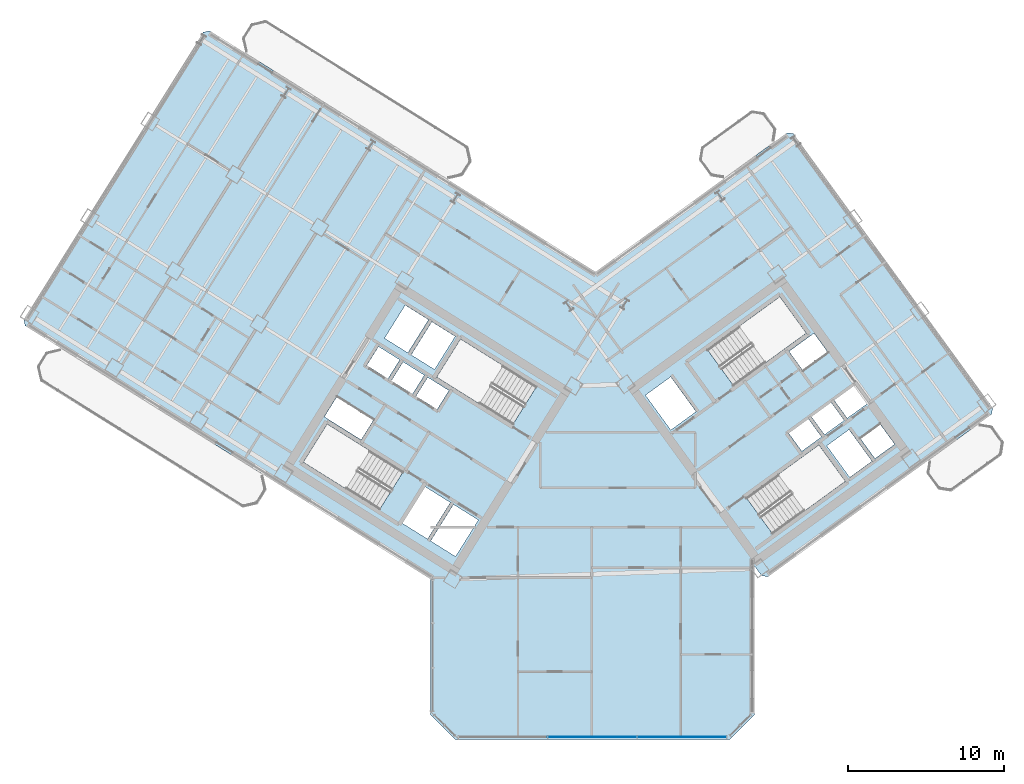
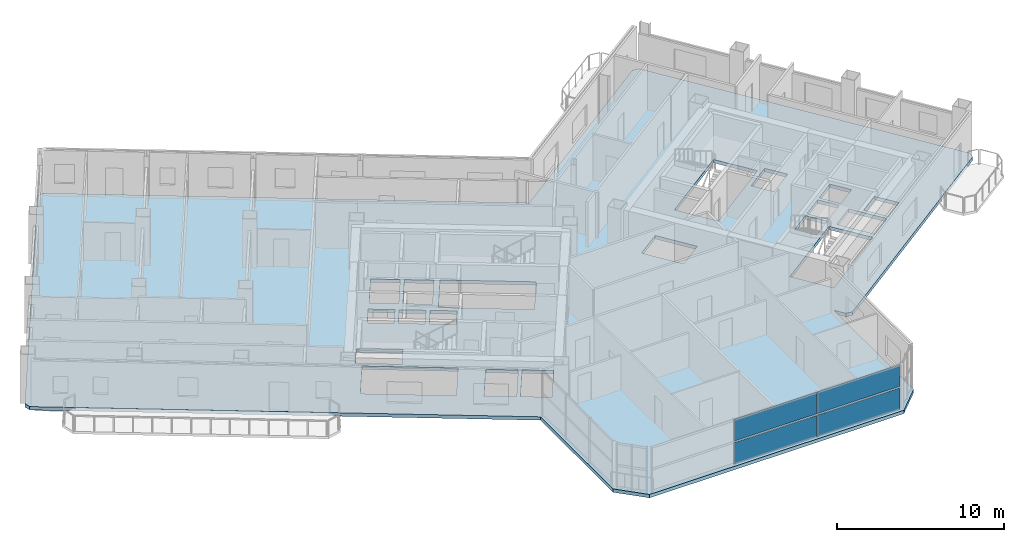
# One storey, part 9 of 21: 4 plates, 1 slab, 1 element without a shape of its own.
"""IFC4 building model written with IfcOpenShell, lengths in metres."""

from ifc_helpers import new_model, si_unit, direction, frame, origin, origin_2d, place, context, subcontext, project, spatial, polyline, rectangle, outline, extrude, source, transform, mapped, material, layer, layer_set, type_object, element, aggregate, save


model = new_model("IFC4")

# Units and contexts
model_context = context("Model", 3, precision=1e-05, world=origin(), true_north=direction((0.0, 1.0)))
body_context = subcontext(model_context, "Body", "Model", "MODEL_VIEW")
ifc_project = project(units=[si_unit("LENGTHUNIT", "METRE"), si_unit("AREAUNIT", "SQUARE_METRE"), si_unit("VOLUMEUNIT", "CUBIC_METRE"), si_unit("PLANEANGLEUNIT", "RADIAN"), si_unit("MASSUNIT", "GRAM", prefix="KILO")], contexts=[model_context])

# Site, building, storey
site_placement = place(None, origin())
site = spatial("IfcSite", under=ifc_project, at=site_placement, CompositionType="ELEMENT")
building_placement = place(site_placement, origin())
building = spatial("IfcBuilding", under=site, at=building_placement, Name="Tlacorven Tower", CompositionType="ELEMENT")
storey_placement = place(building_placement, frame((0.0, 0.0, 105.300048828125)))
storey = spatial("IfcBuildingStorey", under=building, at=storey_placement, Name="L26", CompositionType="ELEMENT", Elevation=105.300048828125)

# Slab
ifc_material_1 = material(Name="Concrete C40/50", Category="concrete")
ifc_layer_1 = layer(ifc_material_1, 0.25)
ifc_layer_set_1 = layer_set([ifc_layer_1], Name="Concrete C40/50")
slab_type = type_object("IfcSlabType", Name="SL-TWR-250", PredefinedType="FLOOR", material=ifc_layer_set_1)
slab_placement = place(storey_placement, frame((0.0, 0.0, -0.25)))
element("IfcSlab", 1, at=slab_placement, inside=storey, type_object=slab_type, Name="L26 Boomerang Tower Floor Slab", PredefinedType="FLOOR", context=body_context, shape_type="SweptSolid", body=[
    extrude(outline(polyline([(52.39990234375, 3.39990234375), (50.800048828125, 1.800048828125), (33.199951171875, 1.800048828125), (31.60009765625, 3.39990234375), (31.60009765625, 12.09423828125), (5.62451171875, 28.32568359375), (5.529052734375, 28.739013671875), (17.0390625, 47.15869140625), (17.452392578125, 47.254150390625), (42.19970703125, 31.790283203125), (54.481689453125, 40.713623046875), (54.90087890625, 40.647216796875), (67.66748046875, 23.075439453125), (67.60107421875, 22.656494140625), (53.265380859375, 12.24072265625), (52.846435546875, 12.30712890625), (52.39990234375, 12.921630859375), (52.39990234375, 3.39990234375)]), holes=[polyline([(29.865478515625, 18.979736328125), (24.9892578125, 22.02685546875), (23.463134765625, 19.58447265625), (28.33935546875, 16.537353515625), (29.865478515625, 18.979736328125)]), polyline([(38.4169921875, 24.4375), (33.540771484375, 27.484375), (32.0146484375, 25.0419921875), (36.890869140625, 21.9951171875), (38.4169921875, 24.4375)]), polyline([(51.05908203125, 24.481689453125), (55.7109375, 27.861572265625), (54.01806640625, 30.19140625), (49.3662109375, 26.811767578125), (51.05908203125, 24.481689453125)]), polyline([(53.56298828125, 14.978759765625), (58.21484375, 18.3583984375), (56.52197265625, 20.6884765625), (51.8701171875, 17.30859375), (53.56298828125, 14.978759765625)]), polyline([(34.682373046875, 15.87548828125), (33.088134765625, 16.871826171875), (31.62548828125, 14.531005859375), (33.2197265625, 13.534912109375), (34.682373046875, 15.87548828125)]), polyline([(32.884521484375, 16.9990234375), (31.2392578125, 18.02685546875), (29.77685546875, 15.686279296875), (31.421875, 14.658203125), (32.884521484375, 16.9990234375)]), polyline([(47.0234375, 21.648681640625), (48.6416015625, 22.82421875), (47.019287109375, 25.05712890625), (45.401123046875, 23.881591796875), (47.0234375, 21.648681640625)]), polyline([(33.197265625, 27.65185546875), (31.704833984375, 28.58447265625), (30.3798828125, 26.46435546875), (31.87255859375, 25.53173828125), (33.197265625, 27.65185546875)]), polyline([(31.484375, 28.722412109375), (29.99169921875, 29.655029296875), (28.6669921875, 27.534912109375), (30.159423828125, 26.602294921875), (31.484375, 28.722412109375)]), polyline([(32.794921875, 24.17724609375), (31.43798828125, 25.025146484375), (30.685546875, 23.82080078125), (32.042236328125, 22.972900390625), (32.794921875, 24.17724609375)]), polyline([(31.217529296875, 25.162841796875), (29.860595703125, 26.0107421875), (29.108154296875, 24.806396484375), (30.465087890625, 23.958740234375), (31.217529296875, 25.162841796875)]), polyline([(29.64013671875, 26.1484375), (28.283203125, 26.996337890625), (27.53076171875, 25.792236328125), (28.8876953125, 24.9443359375), (29.64013671875, 26.1484375)]), polyline([(55.427734375, 20.288818359375), (56.68994140625, 21.205810546875), (55.855224609375, 22.354736328125), (54.59326171875, 21.437744140625), (55.427734375, 20.288818359375)]), polyline([(56.884033203125, 21.346923828125), (58.146240234375, 22.263916015625), (57.3115234375, 23.41259765625), (56.04931640625, 22.495849609375), (56.884033203125, 21.346923828125)]), polyline([(58.34033203125, 22.405029296875), (59.602294921875, 23.322021484375), (58.767578125, 24.470703125), (57.505615234375, 23.5537109375), (58.34033203125, 22.405029296875)]), polyline([(58.498779296875, 18.614013671875), (59.922607421875, 19.648681640625), (58.453125, 21.671142578125), (57.029296875, 20.63671875), (58.498779296875, 18.614013671875)]), polyline([(27.96142578125, 22.2919921875), (25.603759765625, 23.76513671875), (24.80908203125, 22.4931640625), (27.16650390625, 21.02001953125), (27.96142578125, 22.2919921875)]), polyline([(55.490478515625, 25.4765625), (57.092529296875, 26.640380859375), (56.210693359375, 27.85400390625), (54.60888671875, 26.690185546875), (55.490478515625, 25.4765625)]), polyline([(60.12109375, 19.817626953125), (61.38330078125, 20.734619140625), (60.45458984375, 22.012939453125), (59.192626953125, 21.095947265625), (60.12109375, 19.817626953125)])]), origin(), (0.0, 0.0, 1.0), 0.25),
])

# Curtain wall, plates
ifc_material_2 = material(Name="Dark solar low-E double glazing in aluminium frame", Category="aluminium")
curtain_wall_type = type_object("IfcCurtainWallType", Name="CW-TWR-MID", PredefinedType="USERDEFINED", material=ifc_material_2)
curtain_wall_placement = place(storey_placement, origin())
curtain_wall = element("IfcCurtainWall", 2, at=curtain_wall_placement, inside=storey, type_object=curtain_wall_type, Name="L26 CW-TWR-MID Curtain Wall 132", ObjectType="UNITISED CURTAIN WALL", PredefinedType="USERDEFINED")
ifc_material_3 = material(Name="High-wind dark solar tempered low-E glazing", Category="glass")
ifc_layer_2 = layer(ifc_material_3, 0.028076171875)
ifc_layer_set_2 = layer_set([ifc_layer_2], Name="High-wind dark solar tempered low-E glazing")
plate_type = type_object("IfcPlateType", Name="CWP-03", PredefinedType="CURTAIN_PANEL", material=ifc_layer_set_2)
shared_shape_1 = source(origin(), body_context, "Body", "SweptSolid", [
    extrude(rectangle(XDim=5.67626953125, YDim=0.028076171875, at=origin_2d()), origin(), (0.0, 0.0, 1.0), 1.552978515625),
])
plate_1_placement = place(storey_placement, frame((47.739501953125, 1.9599609375, 0.06103515625), z_axis=(0.0, 0.0, 1.0), x_axis=(-1.0, 0.0, 0.0)))
plate_1 = element("IfcPlate", 3, at=plate_1_placement, type_object=plate_type, Name="CW-L26-132 Glazing Panel 1", PredefinedType="CURTAIN_PANEL", context=body_context, shape_type="MappedRepresentation", body=[
    mapped(shared_shape_1, transform((0.0, 0.0, 0.0), scale=1.0)),
])
plate_2_placement = place(storey_placement, frame((47.739501953125, 1.9599609375, 1.73583984375), z_axis=(0.0, 0.0, 1.0), x_axis=(-1.0, 0.0, 0.0)))
plate_2 = element("IfcPlate", 4, at=plate_2_placement, type_object=plate_type, Name="CW-L26-132 Glazing Panel 2", PredefinedType="CURTAIN_PANEL", context=body_context, shape_type="MappedRepresentation", body=[
    mapped(shared_shape_1, transform((0.0, 0.0, 0.0), scale=1.0)),
])
shared_shape_2 = source(origin(), body_context, "Body", "SweptSolid", [
    extrude(rectangle(XDim=5.708740234375, YDim=0.028076171875, at=origin_2d()), origin(), (0.0, 0.0, 1.0), 1.552978515625),
])
plate_3_placement = place(storey_placement, frame((42.0, 1.9599609375, 0.06103515625), z_axis=(0.0, 0.0, 1.0), x_axis=(-1.0, 0.0, 0.0)))
plate_3 = element("IfcPlate", 5, at=plate_3_placement, type_object=plate_type, Name="CW-L26-132 Glazing Panel 3", PredefinedType="CURTAIN_PANEL", context=body_context, shape_type="MappedRepresentation", body=[
    mapped(shared_shape_2, transform((0.0, 0.0, 0.0), scale=1.0)),
])
plate_4_placement = place(storey_placement, frame((42.0, 1.9599609375, 1.73583984375), z_axis=(0.0, 0.0, 1.0), x_axis=(-1.0, 0.0, 0.0)))
plate_4 = element("IfcPlate", 6, at=plate_4_placement, type_object=plate_type, Name="CW-L26-132 Glazing Panel 4", PredefinedType="CURTAIN_PANEL", context=body_context, shape_type="MappedRepresentation", body=[
    mapped(shared_shape_2, transform((0.0, 0.0, 0.0), scale=1.0)),
])
aggregate(curtain_wall, [plate_1, plate_2, plate_3, plate_4])

save(model, "model.ifc")
